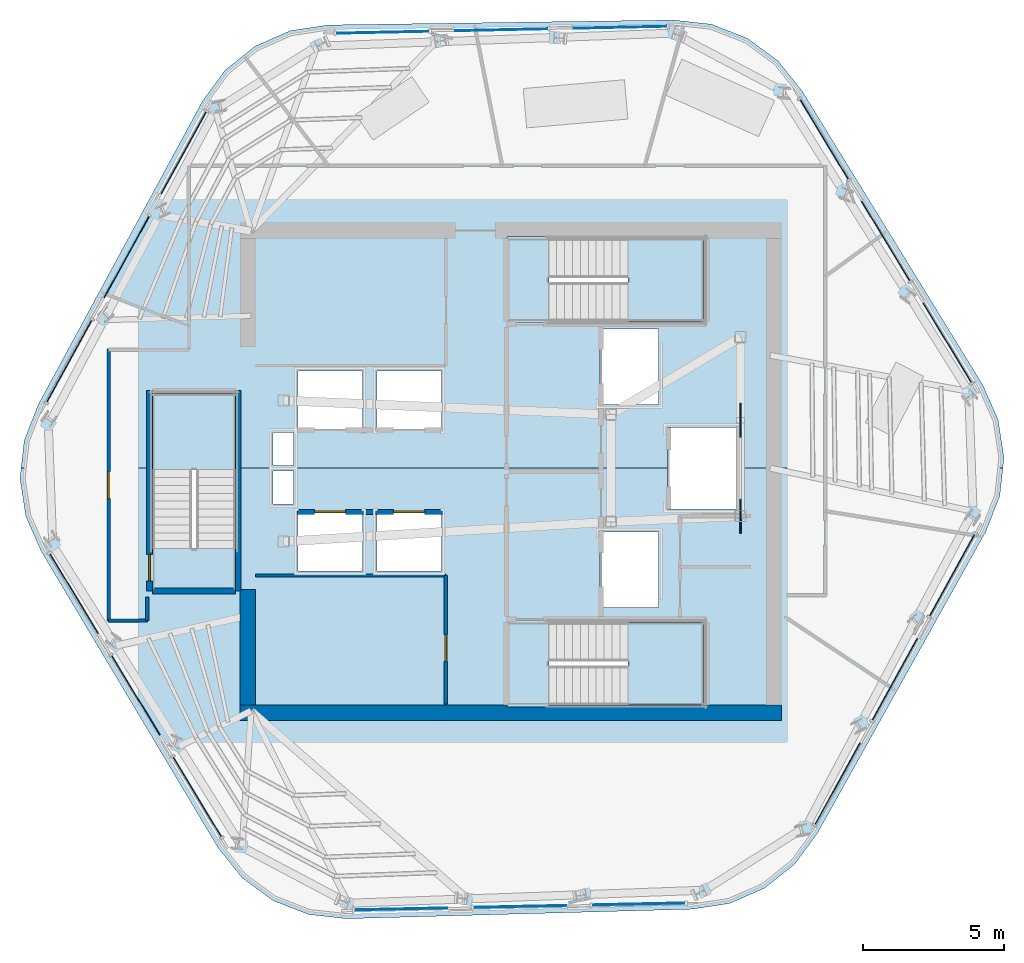
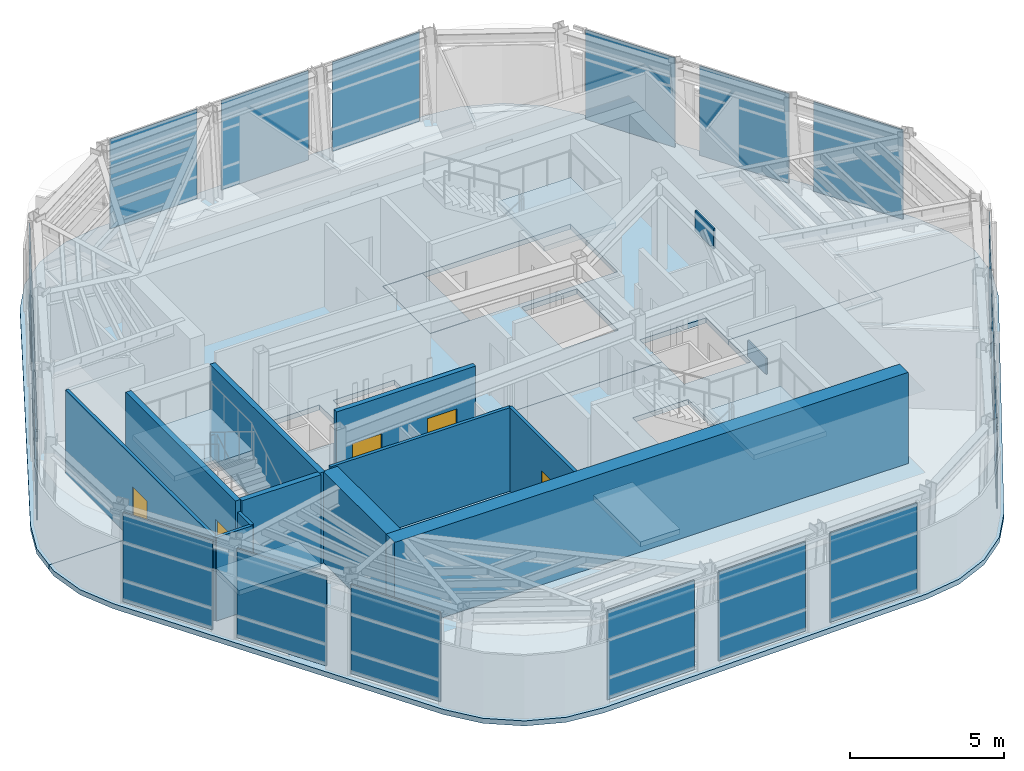
# One storey, part 6 of 13: 20 plates, 11 walls, 8 slabs, 5 doors, 5 openings, 9 elements without a shape of their own.
"""IFC4 building model written with IfcOpenShell, lengths in metres."""

import ifcopenshell
import ifcopenshell.guid

model = None  # the IFC model being written
_history = None  # IfcOwnerHistory: only IFC2X3 demands one
_inside = {}  # id of a spatial element -> (the spatial element, [elements in it])
_under = {}  # id of a project, library or spatial element -> (it, [spatial elements below it])
_declared = {}  # id of a project -> (the project, [libraries it declares])
_typed = {}  # id of a type object -> (the type object, [elements of that type])
_made_of = {}  # id of a material, layer set ... -> (it, [elements and type objects made of it])


def new_model(schema):
    """Start an empty IFC model of exactly this schema.

    Asked for "IFC4X3", IfcOpenShell would pick the latest addendum, in which some entities
    have other attributes; the version numbers below select the first issue.
    IFC2X3 requires an IfcOwnerHistory on every rooted entity: one is made here for all.
    """
    global model, _history
    if schema == "IFC4X3":
        model = ifcopenshell.file(schema_version=(4, 3, 0, 0))
    else:
        model = ifcopenshell.file(schema=schema)
    _inside.clear()
    _under.clear()
    _declared.clear()
    _typed.clear()
    _made_of.clear()
    _history = None
    if model.schema == "IFC2X3":
        org = make("IfcOrganization", Name="unknown")
        user = make(
            "IfcPersonAndOrganization",
            ThePerson=make("IfcPerson", FamilyName="unknown"),
            TheOrganization=org,
        )
        app = make(
            "IfcApplication",
            ApplicationDeveloper=org,
            Version="unknown",
            ApplicationFullName="unknown",
            ApplicationIdentifier="unknown",
        )
        _history = make(
            "IfcOwnerHistory",
            OwningUser=user,
            OwningApplication=app,
            ChangeAction="ADDED",
            CreationDate=0,
        )
    return model


def make(cls, **values):
    """One entity of the class cls with the attributes given. An attribute that is None is left unset."""
    return model.create_entity(
        cls, **{name: value for name, value in values.items() if value is not None}
    )


def rooted(cls, **values):
    """An entity with a GlobalId (a new one), such as an element, a storey or a relation."""
    return make(cls, GlobalId=ifcopenshell.guid.new(), OwnerHistory=_history, **values)


def si_unit(unit_type, name, prefix=None):
    """IfcSIUnit, for example si_unit("LENGTHUNIT", "METRE", prefix="MILLI")."""
    return make("IfcSIUnit", UnitType=unit_type, Prefix=prefix, Name=name)


def assignment(units):
    """IfcUnitAssignment: the units of a project."""
    return None if units is None else make("IfcUnitAssignment", Units=units)


def point(xyz):
    """IfcCartesianPoint."""
    return None if xyz is None else make("IfcCartesianPoint", Coordinates=xyz)


def direction(xyz):
    """IfcDirection."""
    return None if xyz is None else make("IfcDirection", DirectionRatios=xyz)


def frame(location, z_axis=None, x_axis=None):
    """IfcAxis2Placement3D, a coordinate frame: its origin and axes. An axis left out is left unset."""
    return make(
        "IfcAxis2Placement3D",
        Location=point(location),
        Axis=direction(z_axis),
        RefDirection=direction(x_axis),
    )


def frame_2d(location, x_axis=None):
    """IfcAxis2Placement2D, a coordinate frame in the plane: its origin and x axis."""
    return make(
        "IfcAxis2Placement2D", Location=point(location), RefDirection=direction(x_axis)
    )


def origin():
    """The frame at (0, 0, 0) with its axes left unset."""
    return frame((0.0, 0.0, 0.0))


def origin_2d():
    """The frame at (0, 0) in the plane with its x axis left unset."""
    return frame_2d((0.0, 0.0))


def place(relative_to, where):
    """IfcLocalPlacement: puts the frame where relative to a parent placement (None: the world)."""
    return make(
        "IfcLocalPlacement", PlacementRelTo=relative_to, RelativePlacement=where
    )


def context(
    kind, dimensions, precision=None, world=None, true_north=None, identifier=None
):
    """IfcGeometricRepresentationContext, for example the 3D "Model" context."""
    return make(
        "IfcGeometricRepresentationContext",
        ContextIdentifier=identifier,
        ContextType=kind,
        CoordinateSpaceDimension=dimensions,
        Precision=precision,
        WorldCoordinateSystem=world,
        TrueNorth=true_north,
    )


def subcontext(parent, identifier, kind, view, scale=None):
    """IfcGeometricRepresentationSubContext, for example "Body" below "Model"."""
    return make(
        "IfcGeometricRepresentationSubContext",
        ContextIdentifier=identifier,
        ContextType=kind,
        ParentContext=parent,
        TargetScale=scale,
        TargetView=view,
    )


def project(units=None, contexts=None):
    """IfcProject with its units and contexts."""
    return rooted(
        "IfcProject",
        Name="project",
        RepresentationContexts=contexts,
        UnitsInContext=assignment(units),
    )


def spatial(cls, under=None, at=None, **own):
    """A site, building, storey or space (cls), placed at a placement, below another one or the project."""
    s = rooted(cls, ObjectPlacement=at, **own)
    if under is not None:
        _under.setdefault(under.id(), (under, []))[1].append(s)
    return s


def polyline(points):
    """IfcPolyline through the points."""
    return make("IfcPolyline", Points=[point(p) for p in points])


def profile(cls, at=None, kind="AREA", **sizes):
    """A parametric profile (cls). Its sizes go by their IFC names, for example OverallWidth=200.0."""
    return make(cls, ProfileType=kind, Position=at, **sizes)


def rectangle(**sizes):
    """IfcRectangleProfileDef."""
    return profile("IfcRectangleProfileDef", **sizes)


def outline(outer, holes=None, kind="AREA"):
    """IfcArbitraryClosedProfileDef: a profile drawn as a closed curve; with holes, ...WithVoids."""
    if holes is None:
        return make("IfcArbitraryClosedProfileDef", ProfileType=kind, OuterCurve=outer)
    return make(
        "IfcArbitraryProfileDefWithVoids",
        ProfileType=kind,
        OuterCurve=outer,
        InnerCurves=holes,
    )


def extrude(swept, where, along, depth):
    """IfcExtrudedAreaSolid: the profile swept, set in the frame where, extruded along a direction by depth."""
    return make(
        "IfcExtrudedAreaSolid",
        SweptArea=swept,
        Position=where,
        ExtrudedDirection=direction(along),
        Depth=depth,
    )


def shape(context_of_items, identifier, shape_type, items):
    """IfcShapeRepresentation: the items that make up one representation, for example the "Body"."""
    return make(
        "IfcShapeRepresentation",
        ContextOfItems=context_of_items,
        RepresentationIdentifier=identifier,
        RepresentationType=shape_type,
        Items=items,
    )


def material(Name=None, Category=None):
    """IfcMaterial."""
    return make("IfcMaterial", Name=Name, Category=Category)


def layer(
    of_material, thickness, ventilated=None, Name=None, Category=None, Priority=None
):
    """IfcMaterialLayer: one layer of a wall or slab, of a material (None: an air gap)."""
    return make(
        "IfcMaterialLayer",
        Material=of_material,
        LayerThickness=thickness,
        IsVentilated=ventilated,
        Name=Name,
        Category=Category,
        Priority=Priority,
    )


def layer_set(layers, Name=None):
    """IfcMaterialLayerSet."""
    return make("IfcMaterialLayerSet", MaterialLayers=layers, LayerSetName=Name)


def made_of(thing, what):
    """Note that an element or type object is made of a material, layer set ...; save() writes the relation."""
    if what is not None:
        _made_of.setdefault(what.id(), (what, []))[1].append(thing)
    return thing


def type_object(cls, material=None, **own):
    """A type object (cls), such as IfcWallType, which elements share."""
    return made_of(rooted(cls, **own), material)


def element(
    cls,
    number,
    at=None,
    inside=None,
    cuts=None,
    type_object=None,
    material=None,
    context=None,
    identifier="Body",
    shape_type=None,
    held_by="IfcProductDefinitionShape",
    body=None,
    shapes=None,
    **own,
):
    """One element of the class cls, such as IfcWall. Its Tag is "e" and its number.

    at: its placement. inside: the storey or other place that contains it. cuts: it is an
    opening in that element (IfcRelVoidsElement). A single representation is given by context,
    identifier, shape_type and body (its items); several are given by shapes. held_by: the class
    of the entity that holds the representations. save() writes the other relations.
    """
    e = rooted(cls, Tag="e%d" % number, ObjectPlacement=at, **own)
    if body is not None:
        shapes = [shape(context, identifier, shape_type, body)]
    if shapes is not None:
        e.Representation = make(held_by, Representations=shapes)
    if inside is not None:
        _inside.setdefault(inside.id(), (inside, []))[1].append(e)
    if cuts is not None:
        rooted(
            "IfcRelVoidsElement", RelatingBuildingElement=cuts, RelatedOpeningElement=e
        )
    if type_object is not None:
        _typed.setdefault(type_object.id(), (type_object, []))[1].append(e)
    return made_of(e, material)


def fill(opening, filler):
    """IfcRelFillsElement: the door or window that sits in an opening."""
    return rooted(
        "IfcRelFillsElement",
        RelatingOpeningElement=opening,
        RelatedBuildingElement=filler,
    )


def aggregate(whole, parts):
    """IfcRelAggregates: a whole, such as a stair, and the parts it consists of."""
    return rooted("IfcRelAggregates", RelatingObject=whole, RelatedObjects=parts)


def save(model, path):
    """Write the relations noted so far, then the file.

    IfcRelAggregates (storeys below a building ...), IfcRelContainedInSpatialStructure (elements
    in a storey), IfcRelDefinesByType, IfcRelAssociatesMaterial and IfcRelDeclares: one each for
    every whole, place, type object, material and project.
    """
    for whole, parts in _under.values():
        aggregate(whole, parts)
    for where, things in _inside.values():
        rooted(
            "IfcRelContainedInSpatialStructure",
            RelatedElements=things,
            RelatingStructure=where,
        )
    for kind, things in _typed.values():
        rooted("IfcRelDefinesByType", RelatedObjects=things, RelatingType=kind)
    for what, things in _made_of.values():
        rooted("IfcRelAssociatesMaterial", RelatedObjects=things, RelatingMaterial=what)
    for by, libraries in _declared.values():
        rooted("IfcRelDeclares", RelatingContext=by, RelatedDefinitions=libraries)
    model.write(path)


model = new_model("IFC4")

# Units and contexts
model_context = context("Model", 3, precision=1e-05, world=origin(), true_north=direction((0.0, 1.0)))
body_context = subcontext(model_context, "Body", "Model", "MODEL_VIEW")
ifc_project = project(units=[si_unit("LENGTHUNIT", "METRE"), si_unit("AREAUNIT", "SQUARE_METRE"), si_unit("VOLUMEUNIT", "CUBIC_METRE"), si_unit("PLANEANGLEUNIT", "RADIAN"), si_unit("MASSUNIT", "GRAM", prefix="KILO")], contexts=[model_context])

# Site, building, storey
site_placement = place(None, origin())
site = spatial("IfcSite", under=ifc_project, at=site_placement, CompositionType="ELEMENT")
building_placement = place(site_placement, origin())
building = spatial("IfcBuilding", under=site, at=building_placement, Name="Valkerne Bourse Tower", CompositionType="ELEMENT")
storey_placement = place(building_placement, frame((0.0, 0.0, 288.800048828125)))
storey = spatial("IfcBuildingStorey", under=building, at=storey_placement, Name="L73", CompositionType="ELEMENT", Elevation=288.800048828125)

# Curtain wall, plates
ifc_material_1 = material(Name="Aluminium AA 6063-T6", Category="aluminium")
ifc_layer_1 = layer(ifc_material_1, 0.2451171875)
ifc_layer_set_1 = layer_set([ifc_layer_1], Name="Aluminium AA 6063-T6")
curtain_wall_type = type_object("IfcCurtainWallType", Name="CW-05", PredefinedType="NOTDEFINED", material=ifc_layer_set_1)
curtain_wall_1_placement = place(storey_placement, origin())
curtain_wall_1 = element("IfcCurtainWall", 1, at=curtain_wall_1_placement, inside=storey, type_object=curtain_wall_type, Name="L73 Hexagonal Stick Curtain Wall Face 1", PredefinedType="NOTDEFINED")
ifc_material_2 = material(Name="Glass IGU Low-E Double Glazed", Category="glass")
ifc_layer_2 = layer(ifc_material_2, 0.031982421875)
ifc_layer_set_2 = layer_set([ifc_layer_2], Name="Glass IGU Low-E Double Glazed")
plate_type_1 = type_object("IfcPlateType", Name="CW-PNL-IGU-32", PredefinedType="CURTAIN_PANEL", material=ifc_layer_set_2)
plate_1_placement = place(storey_placement, frame((50.685546875, 42.62353515625, 0.030029296875), z_axis=(0.0, 0.0, 1.0), x_axis=(-0.999780733034, -0.020940053823, 0.0)))
plate_1 = element("IfcPlate", 2, at=plate_1_placement, type_object=plate_type_1, Name="CW-L73-F1 Curtain Panel 00", PredefinedType="CURTAIN_PANEL", context=body_context, shape_type="SweptSolid", body=[
    extrude(rectangle(XDim=3.2919921875, YDim=0.031982421875, at=origin_2d()), origin(), (0.0, 0.0, 1.0), 3.5400390625),
])
plate_2_placement = place(storey_placement, frame((46.474609375, 42.535400390625, 0.030029296875), z_axis=(0.0, 0.0, 1.0), x_axis=(-0.999780722623, -0.020940550871, 0.0)))
plate_2 = element("IfcPlate", 3, at=plate_2_placement, type_object=plate_type_1, Name="CW-L73-F1 Curtain Panel 01", PredefinedType="CURTAIN_PANEL", context=body_context, shape_type="SweptSolid", body=[
    extrude(rectangle(XDim=3.2919921875, YDim=0.031982421875, at=origin_2d()), origin(), (0.0, 0.0, 1.0), 3.5400390625),
])
plate_3_placement = place(storey_placement, frame((42.263427734375, 42.447021484375, 0.030029296875), z_axis=(0.0, 0.0, 1.0), x_axis=(-0.999780733034, -0.020940053823, 0.0)))
plate_3 = element("IfcPlate", 4, at=plate_3_placement, type_object=plate_type_1, Name="CW-L73-F1 Curtain Panel 02", PredefinedType="CURTAIN_PANEL", context=body_context, shape_type="SweptSolid", body=[
    extrude(rectangle(XDim=3.2919921875, YDim=0.031982421875, at=origin_2d()), origin(), (0.0, 0.0, 1.0), 3.5400390625),
])
aggregate(curtain_wall_1, [plate_1, plate_2, plate_3])

curtain_wall_2_placement = place(storey_placement, origin())
curtain_wall_2 = element("IfcCurtainWall", 5, at=curtain_wall_2_placement, inside=storey, type_object=curtain_wall_type, Name="L73 Hexagonal Stick Curtain Wall Face 2", PredefinedType="NOTDEFINED")
plate_4_placement = place(storey_placement, frame((35.21240234375, 38.177001953125, 0.030029296875), z_axis=(0.0, 0.0, 1.0), x_axis=(-0.481763806894, -0.876301109418, 0.0)))
plate_4 = element("IfcPlate", 6, at=plate_4_placement, type_object=plate_type_1, Name="CW-L73-F2 Curtain Panel 00", PredefinedType="CURTAIN_PANEL", context=body_context, shape_type="SweptSolid", body=[
    extrude(rectangle(XDim=3.2919921875, YDim=0.031982421875, at=origin_2d()), origin(), (0.0, 0.0, 1.0), 3.5400390625),
])
plate_5_placement = place(storey_placement, frame((33.183349609375, 34.48583984375, 0.030029296875), z_axis=(0.0, 0.0, 1.0), x_axis=(-0.481735552691, -0.87631664213, 0.0)))
plate_5 = element("IfcPlate", 7, at=plate_5_placement, type_object=plate_type_1, Name="CW-L73-F2 Curtain Panel 01", PredefinedType="CURTAIN_PANEL", context=body_context, shape_type="SweptSolid", body=[
    extrude(rectangle(XDim=3.2919921875, YDim=0.031982421875, at=origin_2d()), origin(), (0.0, 0.0, 1.0), 3.5400390625),
])
plate_6_placement = place(storey_placement, frame((31.154296875, 30.794921875, 0.030029296875), z_axis=(0.0, 0.0, 1.0), x_axis=(-0.481763806894, -0.876301109418, 0.0)))
plate_6 = element("IfcPlate", 8, at=plate_6_placement, type_object=plate_type_1, Name="CW-L73-F2 Curtain Panel 02", PredefinedType="CURTAIN_PANEL", context=body_context, shape_type="SweptSolid", body=[
    extrude(rectangle(XDim=3.2919921875, YDim=0.031982421875, at=origin_2d()), origin(), (0.0, 0.0, 1.0), 3.5400390625),
])
aggregate(curtain_wall_2, [plate_4, plate_5, plate_6])

curtain_wall_3_placement = place(storey_placement, origin())
curtain_wall_3 = element("IfcCurtainWall", 9, at=curtain_wall_3_placement, inside=storey, type_object=curtain_wall_type, Name="L73 Hexagonal Stick Curtain Wall Face 3", PredefinedType="NOTDEFINED")
plate_7_placement = place(storey_placement, frame((31.326904296875, 22.55322265625, 0.030029296875), z_axis=(0.0, 0.0, 1.0), x_axis=(0.518038606247, -0.855357236737, 0.0)))
plate_7 = element("IfcPlate", 10, at=plate_7_placement, type_object=plate_type_1, Name="CW-L73-F3 Curtain Panel 00", PredefinedType="CURTAIN_PANEL", context=body_context, shape_type="SweptSolid", body=[
    extrude(rectangle(XDim=3.2919921875, YDim=0.031982421875, at=origin_2d()), origin(), (0.0, 0.0, 1.0), 3.5400390625),
])
plate_8_placement = place(storey_placement, frame((33.5087890625, 18.950439453125, 0.030029296875), z_axis=(0.0, 0.0, 1.0), x_axis=(0.51802123581, -0.855367756728, 0.0)))
plate_8 = element("IfcPlate", 11, at=plate_8_placement, type_object=plate_type_1, Name="CW-L73-F3 Curtain Panel 01", PredefinedType="CURTAIN_PANEL", context=body_context, shape_type="SweptSolid", body=[
    extrude(rectangle(XDim=3.2919921875, YDim=0.031982421875, at=origin_2d()), origin(), (0.0, 0.0, 1.0), 3.5400390625),
])
plate_9_placement = place(storey_placement, frame((35.690673828125, 15.34765625, 0.030029296875), z_axis=(0.0, 0.0, 1.0), x_axis=(0.51802123581, -0.855367756728, 0.0)))
plate_9 = element("IfcPlate", 12, at=plate_9_placement, type_object=plate_type_1, Name="CW-L73-F3 Curtain Panel 02", PredefinedType="CURTAIN_PANEL", context=body_context, shape_type="SweptSolid", body=[
    extrude(rectangle(XDim=3.2919921875, YDim=0.031982421875, at=origin_2d()), origin(), (0.0, 0.0, 1.0), 3.5400390625),
])
aggregate(curtain_wall_3, [plate_7, plate_8, plate_9])

curtain_wall_4_placement = place(storey_placement, origin())
curtain_wall_4 = element("IfcCurtainWall", 13, at=curtain_wall_4_placement, inside=storey, type_object=curtain_wall_type, Name="L73 Hexagonal Stick Curtain Wall Face 4", PredefinedType="NOTDEFINED")
plate_10_placement = place(storey_placement, frame((42.914306640625, 11.37646484375, 0.030029296875), z_axis=(0.0, 0.0, 1.0), x_axis=(0.999780733034, 0.020940053823, 0.0)))
plate_10 = element("IfcPlate", 14, at=plate_10_placement, type_object=plate_type_1, Name="CW-L73-F4 Curtain Panel 00", PredefinedType="CURTAIN_PANEL", context=body_context, shape_type="SweptSolid", body=[
    extrude(rectangle(XDim=3.2919921875, YDim=0.031982421875, at=origin_2d()), origin(), (0.0, 0.0, 1.0), 3.5400390625),
])
plate_11_placement = place(storey_placement, frame((47.12548828125, 11.464599609375, 0.030029296875), z_axis=(0.0, 0.0, 1.0), x_axis=(0.999780722623, 0.020940550871, 0.0)))
plate_11 = element("IfcPlate", 15, at=plate_11_placement, type_object=plate_type_1, Name="CW-L73-F4 Curtain Panel 01", PredefinedType="CURTAIN_PANEL", context=body_context, shape_type="SweptSolid", body=[
    extrude(rectangle(XDim=3.2919921875, YDim=0.031982421875, at=origin_2d()), origin(), (0.0, 0.0, 1.0), 3.5400390625),
])
plate_12_placement = place(storey_placement, frame((51.33642578125, 11.552978515625, 0.030029296875), z_axis=(0.0, 0.0, 1.0), x_axis=(0.999780733034, 0.020940053823, 0.0)))
plate_12 = element("IfcPlate", 16, at=plate_12_placement, type_object=plate_type_1, Name="CW-L73-F4 Curtain Panel 02", PredefinedType="CURTAIN_PANEL", context=body_context, shape_type="SweptSolid", body=[
    extrude(rectangle(XDim=3.2919921875, YDim=0.031982421875, at=origin_2d()), origin(), (0.0, 0.0, 1.0), 3.5400390625),
])
aggregate(curtain_wall_4, [plate_10, plate_11, plate_12])

curtain_wall_5_placement = place(storey_placement, origin())
curtain_wall_5 = element("IfcCurtainWall", 17, at=curtain_wall_5_placement, inside=storey, type_object=curtain_wall_type, Name="L73 Hexagonal Stick Curtain Wall Face 5", PredefinedType="NOTDEFINED")
plate_13_placement = place(storey_placement, frame((58.3876953125, 15.822998046875, 0.030029296875), z_axis=(0.0, 0.0, 1.0), x_axis=(0.481763806894, 0.876301109418, 0.0)))
plate_13 = element("IfcPlate", 18, at=plate_13_placement, type_object=plate_type_1, Name="CW-L73-F5 Curtain Panel 00", PredefinedType="CURTAIN_PANEL", context=body_context, shape_type="SweptSolid", body=[
    extrude(rectangle(XDim=3.2919921875, YDim=0.031982421875, at=origin_2d()), origin(), (0.0, 0.0, 1.0), 3.5400390625),
])
plate_14_placement = place(storey_placement, frame((60.416748046875, 19.51416015625, 0.030029296875), z_axis=(0.0, 0.0, 1.0), x_axis=(0.481735552691, 0.87631664213, 0.0)))
plate_14 = element("IfcPlate", 19, at=plate_14_placement, type_object=plate_type_1, Name="CW-L73-F5 Curtain Panel 01", PredefinedType="CURTAIN_PANEL", context=body_context, shape_type="SweptSolid", body=[
    extrude(rectangle(XDim=3.2919921875, YDim=0.031982421875, at=origin_2d()), origin(), (0.0, 0.0, 1.0), 3.5400390625),
])
plate_15_placement = place(storey_placement, frame((62.44580078125, 23.205078125, 0.030029296875), z_axis=(0.0, 0.0, 1.0), x_axis=(0.481763806894, 0.876301109418, 0.0)))
plate_15 = element("IfcPlate", 20, at=plate_15_placement, type_object=plate_type_1, Name="CW-L73-F5 Curtain Panel 02", PredefinedType="CURTAIN_PANEL", context=body_context, shape_type="SweptSolid", body=[
    extrude(rectangle(XDim=3.2919921875, YDim=0.031982421875, at=origin_2d()), origin(), (0.0, 0.0, 1.0), 3.5400390625),
])
aggregate(curtain_wall_5, [plate_13, plate_14, plate_15])

curtain_wall_6_placement = place(storey_placement, origin())
curtain_wall_6 = element("IfcCurtainWall", 21, at=curtain_wall_6_placement, inside=storey, type_object=curtain_wall_type, Name="L73 Hexagonal Stick Curtain Wall Face 6", PredefinedType="NOTDEFINED")
plate_16_placement = place(storey_placement, frame((62.273193359375, 31.44677734375, 0.030029296875), z_axis=(0.0, 0.0, 1.0), x_axis=(-0.518038606247, 0.855357236737, 0.0)))
plate_16 = element("IfcPlate", 22, at=plate_16_placement, type_object=plate_type_1, Name="CW-L73-F6 Curtain Panel 00", PredefinedType="CURTAIN_PANEL", context=body_context, shape_type="SweptSolid", body=[
    extrude(rectangle(XDim=3.2919921875, YDim=0.031982421875, at=origin_2d()), origin(), (0.0, 0.0, 1.0), 3.5400390625),
])
plate_17_placement = place(storey_placement, frame((60.09130859375, 35.049560546875, 0.030029296875), z_axis=(0.0, 0.0, 1.0), x_axis=(-0.51802123581, 0.855367756728, 0.0)))
plate_17 = element("IfcPlate", 23, at=plate_17_placement, type_object=plate_type_1, Name="CW-L73-F6 Curtain Panel 01", PredefinedType="CURTAIN_PANEL", context=body_context, shape_type="SweptSolid", body=[
    extrude(rectangle(XDim=3.2919921875, YDim=0.031982421875, at=origin_2d()), origin(), (0.0, 0.0, 1.0), 3.5400390625),
])
plate_18_placement = place(storey_placement, frame((57.909423828125, 38.65234375, 0.030029296875), z_axis=(0.0, 0.0, 1.0), x_axis=(-0.51802123581, 0.855367756728, 0.0)))
plate_18 = element("IfcPlate", 24, at=plate_18_placement, type_object=plate_type_1, Name="CW-L73-F6 Curtain Panel 02", PredefinedType="CURTAIN_PANEL", context=body_context, shape_type="SweptSolid", body=[
    extrude(rectangle(XDim=3.2919921875, YDim=0.031982421875, at=origin_2d()), origin(), (0.0, 0.0, 1.0), 3.5400390625),
])
aggregate(curtain_wall_6, [plate_16, plate_17, plate_18])

# Plates
ifc_material_3 = material(Name="Steel ASTM A572 Grade 50", Category="steel")
ifc_layer_3 = layer(ifc_material_3, 0.06005859375)
ifc_layer_set_3 = layer_set([ifc_layer_3], Name="Steel ASTM A572 Grade 50")
plate_type_2 = type_object("IfcPlateType", Name="PLT-GUS-60", PredefinedType="SHEET", material=ifc_layer_set_3)
for number, where, z_axis, x_axis, name in (
    (25, (54.949951171875, 25.300048828125, -0.18017578125), (0.0, 0.0, 1.0), (0.0, 1.0, 0.0), "L73 Brace Node Gusset Plate PLT-GUS-END-L73-462"),
    (26, (54.949951171875, 28.699951171875, 2.89404296875), (0.0, 0.0, 1.0), (0.0, 1.0, 0.0), "L73 Brace Node Gusset Plate PLT-GUS-END-L73-463"),
):
    element("IfcPlate", number, at=place(storey_placement, frame(where, z_axis=z_axis, x_axis=x_axis)), inside=storey, type_object=plate_type_2, Name=name, PredefinedType="SHEET", context=body_context, shape_type="SweptSolid", body=[
        extrude(rectangle(XDim=1.199951171875, YDim=0.06005859375, at=origin_2d()), origin(), (0.0, 0.0, 1.0), 0.800048828125),
    ])

# Slabs
ifc_material_4 = material(Name="Concrete C40/50", Category="concrete")
ifc_layer_4 = layer(ifc_material_4, 0.25)
ifc_layer_set_4 = layer_set([ifc_layer_4], Name="Concrete C40/50")
slab_type_1 = type_object("IfcSlabType", Name="SLB-RMP-LND-250", PredefinedType="LANDING", material=ifc_layer_set_4)
slab_1_placement = place(storey_placement, frame((0.0, 0.0, -0.199951171875)))
element("IfcSlab", 27, at=slab_1_placement, inside=storey, type_object=slab_type_1, Name="L73 ST-1 Floor Landing Slab", PredefinedType="LANDING", context=body_context, shape_type="SweptSolid", body=[
    extrude(outline(polyline([(46.669921875, 18.5400390625), (48.14990234375, 18.5400390625), (48.14990234375, 21.610107421875), (46.669921875, 21.610107421875), (46.669921875, 18.5400390625)])), origin(), (0.0, 0.0, 1.0), 0.199951171875),
])
slab_2_placement = place(storey_placement, frame((0.0, 0.0, -0.199951171875)))
element("IfcSlab", 28, at=slab_2_placement, inside=storey, type_object=slab_type_1, Name="L73 ST-2 Floor Landing Slab", PredefinedType="LANDING", context=body_context, shape_type="SweptSolid", body=[
    extrude(outline(polyline([(46.669921875, 32.139892578125), (48.14990234375, 32.139892578125), (48.14990234375, 35.2099609375), (46.669921875, 35.2099609375), (46.669921875, 32.139892578125)])), origin(), (0.0, 0.0, 1.0), 0.199951171875),
])
slab_3_placement = place(storey_placement, frame((0.0, 0.0, -0.199951171875)))
element("IfcSlab", 29, at=slab_3_placement, inside=storey, type_object=slab_type_1, Name="L73 ST-3 Floor Landing Slab", PredefinedType="LANDING", context=body_context, shape_type="SweptSolid", body=[
    extrude(outline(polyline([(37.110107421875, 22.669921875), (37.110107421875, 24.14990234375), (34.0400390625, 24.14990234375), (34.0400390625, 22.669921875), (37.110107421875, 22.669921875)])), origin(), (0.0, 0.0, 1.0), 0.199951171875),
])

# Stair, slab
stair_type = type_object("IfcStairType", Name="ST-CORE-1400", PredefinedType="HALF_TURN_STAIR", material=ifc_material_4)
stair_1_placement = place(storey_placement, origin())
stair_1 = element("IfcStair", 30, at=stair_1_placement, inside=storey, type_object=stair_type, Name="L73 ST-1", PredefinedType="HALF_TURN_STAIR")
ifc_layer_5 = layer(ifc_material_4, 0.179931640625)
ifc_layer_set_5 = layer_set([ifc_layer_5], Name="Concrete C40/50")
slab_type_2 = type_object("IfcSlabType", Name="SLB-ST-LND-180", PredefinedType="LANDING", material=ifc_layer_set_5)
slab_4_placement = place(storey_placement, frame((0.0, 0.0, 1.699951171875)))
slab_4 = element("IfcSlab", 31, at=slab_4_placement, type_object=slab_type_2, Name="ST-1 landing 1", PredefinedType="LANDING", context=body_context, shape_type="SweptSolid", body=[
    extrude(outline(polyline([(50.949951171875, 18.60009765625), (53.64990234375, 18.60009765625), (53.64990234375, 21.550048828125), (50.949951171875, 21.550048828125), (50.949951171875, 18.60009765625)])), origin(), (0.0, 0.0, 1.0), 0.199951171875),
])
aggregate(stair_1, [slab_4])

stair_2_placement = place(storey_placement, origin())
stair_2 = element("IfcStair", 32, at=stair_2_placement, inside=storey, type_object=stair_type, Name="L73 ST-2", PredefinedType="HALF_TURN_STAIR")
slab_5_placement = place(storey_placement, frame((0.0, 0.0, 1.699951171875)))
slab_5 = element("IfcSlab", 33, at=slab_5_placement, type_object=slab_type_2, Name="ST-2 landing 1", PredefinedType="LANDING", context=body_context, shape_type="SweptSolid", body=[
    extrude(outline(polyline([(50.949951171875, 32.199951171875), (53.64990234375, 32.199951171875), (53.64990234375, 35.14990234375), (50.949951171875, 35.14990234375), (50.949951171875, 32.199951171875)])), origin(), (0.0, 0.0, 1.0), 0.199951171875),
])
aggregate(stair_2, [slab_5])

stair_3_placement = place(storey_placement, origin())
stair_3 = element("IfcStair", 34, at=stair_3_placement, inside=storey, type_object=stair_type, Name="L73 ST-3", PredefinedType="HALF_TURN_STAIR")
slab_6_placement = place(storey_placement, frame((0.0, 0.0, 1.699951171875)))
slab_6 = element("IfcSlab", 35, at=slab_6_placement, type_object=slab_type_2, Name="ST-3 landing 1", PredefinedType="LANDING", context=body_context, shape_type="SweptSolid", body=[
    extrude(outline(polyline([(37.050048828125, 26.949951171875), (37.050048828125, 29.64990234375), (34.10009765625, 29.64990234375), (34.10009765625, 26.949951171875), (37.050048828125, 26.949951171875)])), origin(), (0.0, 0.0, 1.0), 0.199951171875),
])
aggregate(stair_3, [slab_6])

# Slabs
ifc_layer_6 = layer(ifc_material_4, 0.199951171875)
ifc_layer_set_6 = layer_set([ifc_layer_6], Name="Concrete C40/50")
slab_type_3 = type_object("IfcSlabType", Name="SLB-TOW-200", PredefinedType="FLOOR", material=ifc_layer_set_6)
slab_7_placement = place(storey_placement, frame((0.0, 0.0, -0.199951171875)))
element("IfcSlab", 36, at=slab_7_placement, inside=storey, type_object=slab_type_3, Name="L73 Hexagonal Composite Floor Slab S", PredefinedType="FLOOR", context=body_context, shape_type="SweptSolid", body=[
    extrude(outline(polyline([(64.135986328125, 26.01708984375), (63.64306640625, 24.752197265625), (57.67431640625, 14.063232421875), (56.870849609375, 12.96923828125), (55.811279296875, 12.12060546875), (54.568359375, 11.57470703125), (53.2265625, 11.369384765625), (40.98876953125, 11.0322265625), (39.639404296875, 11.181396484375), (38.374755859375, 11.67431640625), (37.28076171875, 12.47802734375), (36.431884765625, 13.53759765625), (30.1591796875, 24.05078125), (29.613525390625, 25.293701171875), (29.408203125, 26.6357421875), (29.448486328125, 27.0), (34.034912109375, 27.0), (34.034912109375, 22.6650390625), (37.114990234375, 22.6650390625), (37.114990234375, 27.0), (52.360107421875, 27.0), (52.360107421875, 25.56005859375), (54.840087890625, 25.56005859375), (54.840087890625, 27.0), (64.24462890625, 27.0), (64.135986328125, 26.01708984375)]), holes=[polyline([(39.260009765625, 25.43994140625), (39.260009765625, 23.360107421875), (41.5400390625, 23.360107421875), (41.5400390625, 25.43994140625), (39.260009765625, 25.43994140625)]), polyline([(44.340087890625, 25.43994140625), (42.06005859375, 25.43994140625), (42.06005859375, 23.360107421875), (44.340087890625, 23.360107421875), (44.340087890625, 25.43994140625)]), polyline([(38.3798828125, 26.89990234375), (38.3798828125, 25.72998046875), (39.10009765625, 25.72998046875), (39.10009765625, 26.89990234375), (38.3798828125, 26.89990234375)]), polyline([(46.6650390625, 21.614990234375), (46.6650390625, 18.534912109375), (53.675048828125, 18.534912109375), (53.675048828125, 21.614990234375), (46.6650390625, 21.614990234375)]), polyline([(52.0400390625, 24.739990234375), (49.9599609375, 24.739990234375), (49.9599609375, 22.06005859375), (52.0400390625, 22.06005859375), (52.0400390625, 24.739990234375)])]), origin(), (0.0, 0.0, 1.0), 0.199951171875),
])
slab_8_placement = place(storey_placement, frame((0.0, 0.0, -0.199951171875)))
element("IfcSlab", 37, at=slab_8_placement, inside=storey, type_object=slab_type_3, Name="L73 Hexagonal Composite Floor Slab N", PredefinedType="FLOOR", context=body_context, shape_type="SweptSolid", body=[
    extrude(outline(polyline([(64.07958984375, 28.7080078125), (64.284912109375, 27.3662109375), (64.24462890625, 27.0), (54.840087890625, 27.0), (54.840087890625, 28.43994140625), (52.360107421875, 28.43994140625), (52.360107421875, 27.0), (37.114990234375, 27.0), (37.114990234375, 29.675048828125), (34.034912109375, 29.675048828125), (34.034912109375, 27.0), (29.448486328125, 27.0), (29.55712890625, 27.985107421875), (30.05029296875, 29.249755859375), (35.877197265625, 40.0166015625), (36.680908203125, 41.110595703125), (37.740234375, 41.959228515625), (38.9833984375, 42.5048828125), (40.3251953125, 42.710205078125), (52.56640625, 42.885986328125), (53.91552734375, 42.73681640625), (55.180419921875, 42.243896484375), (56.2744140625, 41.440185546875), (57.123046875, 40.380859375), (63.5341796875, 29.951171875), (64.07958984375, 28.7080078125)]), holes=[polyline([(39.10009765625, 28.27001953125), (38.3798828125, 28.27001953125), (38.3798828125, 27.10009765625), (39.10009765625, 27.10009765625), (39.10009765625, 28.27001953125)]), polyline([(41.5400390625, 30.43994140625), (39.260009765625, 30.43994140625), (39.260009765625, 28.360107421875), (41.5400390625, 28.360107421875), (41.5400390625, 30.43994140625)]), polyline([(42.06005859375, 30.43994140625), (42.06005859375, 28.360107421875), (44.340087890625, 28.360107421875), (44.340087890625, 30.43994140625), (42.06005859375, 30.43994140625)]), polyline([(52.0400390625, 31.93994140625), (49.9599609375, 31.93994140625), (49.9599609375, 29.260009765625), (52.0400390625, 29.260009765625), (52.0400390625, 31.93994140625)]), polyline([(53.675048828125, 35.215087890625), (46.6650390625, 35.215087890625), (46.6650390625, 32.135009765625), (53.675048828125, 32.135009765625), (53.675048828125, 35.215087890625)])]), origin(), (0.0, 0.0, 1.0), 0.199951171875),
])

# Walls
ifc_material_5 = material(Name="Concrete C55/67", Category="concrete")
ifc_layer_7 = layer(ifc_material_5, 0.550048828125)
ifc_layer_set_7 = layer_set([ifc_layer_7], Name="Concrete C55/67")
wall_type_1 = type_object("IfcWallType", Name="W-CORE-550", PredefinedType="SHEAR", material=ifc_layer_set_7)
wall_1_placement = place(storey_placement, frame((37.199951171875, 18.324951171875, 0.0), z_axis=(0.0, 0.0, 1.0), x_axis=(1.0, 0.0, 0.0)))
element("IfcWall", 38, at=wall_1_placement, inside=storey, type_object=wall_type_1, Name="L73 Core Shear Wall SOUTH", PredefinedType="SHEAR", context=body_context, shape_type="SweptSolid", body=[
    extrude(rectangle(XDim=19.199951171875, YDim=0.550048828125, at=frame_2d((9.60009765625, 0.0))), origin(), (0.0, 0.0, 1.0), 3.599853515625),
])
wall_2_placement = place(storey_placement, frame((37.47509765625, 18.60009765625, 0.0), z_axis=(0.0, 0.0, 1.0), x_axis=(0.0, 1.0, 0.0)))
element("IfcWall", 39, at=wall_2_placement, inside=storey, type_object=wall_type_1, Name="L73 Core Shear Wall WEST-S", PredefinedType="SHEAR", context=body_context, shape_type="SweptSolid", body=[
    extrude(rectangle(XDim=4.099853515625, YDim=0.550048828125, at=frame_2d((2.0498046875, 0.0))), origin(), (0.0, 0.0, 1.0), 3.599853515625),
])

# Wall, opening, door
ifc_material_6 = material(Name="Gypsum Board Steel-Stud Partition", Category="steel")
ifc_layer_8 = layer(ifc_material_6, 0.117919921875)
ifc_layer_set_8 = layer_set([ifc_layer_8], Name="Gypsum Board Steel-Stud Partition")
wall_type_2 = type_object("IfcWallType", Name="W-CORR-140", PredefinedType="PARTITIONING", material=ifc_layer_set_8)
wall_3_placement = place(storey_placement, frame((44.5, 18.64990234375, 0.0), z_axis=(0.0, 0.0, 1.0), x_axis=(0.0, 1.0, 0.0)))
wall_3 = element("IfcWall", 40, at=wall_3_placement, inside=storey, type_object=wall_type_2, Name="L73 LV7 Low-Bank East Wall", PredefinedType="PARTITIONING", context=body_context, shape_type="SweptSolid", body=[
    extrude(rectangle(XDim=4.550048828125, YDim=0.117919921875, at=frame_2d((2.27490234375, 0.0))), origin(), (0.0, 0.0, 1.0), 3.300048828125),
])
opening_1_placement = place(wall_3_placement, frame((1.5, 0.0, 0.0)))
opening_1 = element("IfcOpeningElement", 41, at=opening_1_placement, cuts=wall_3, Name="Opening D-SV-950", PredefinedType="OPENING", context=body_context, shape_type="SweptSolid", body=[
    extrude(rectangle(XDim=0.949951171875, YDim=2.050048828125, at=frame_2d((0.47509765625, 1.02490234375))), frame((0.0, 0.06884765625, 0.0), z_axis=(0.0, -1.0, 0.0), x_axis=(1.0, 0.0, 0.0)), (0.0, 0.0, 1.0), 0.137939453125),
])
ifc_material_7 = material(Name="Galvanised Painted Steel", Category="steel")
door_type_1 = type_object("IfcDoorType", Name="DR-SRV-950", OperationType="NOTDEFINED", PredefinedType="DOOR", material=ifc_material_7)
door_1_placement = place(opening_1_placement, origin())
door_1 = element("IfcDoor", 42, at=door_1_placement, inside=storey, type_object=door_type_1, Name="L73 Algorithmic Matching Office Door", OperationType="SINGLE_SWING_RIGHT", OverallHeight=2.050048828125, OverallWidth=0.949951171875, PredefinedType="DOOR", context=body_context, shape_type="SweptSolid", body=[
    extrude(rectangle(XDim=0.949951171875, YDim=2.050048828125, at=frame_2d((0.47509765625, 1.02490234375))), frame((0.0, 0.02490234375, 0.0), z_axis=(0.0, -1.0, 0.0), x_axis=(1.0, 0.0, 0.0)), (0.0, 0.0, 1.0), 0.050048828125),
])
fill(opening_1, door_1)

# Walls
wall_4_placement = place(storey_placement, frame((37.75, 23.199951171875, 0.0), z_axis=(0.0, 0.0, 1.0), x_axis=(1.0, 0.0, 0.0)))
element("IfcWall", 43, at=wall_4_placement, inside=storey, type_object=wall_type_2, Name="L73 LV7 Low-Bank North Wall", PredefinedType="PARTITIONING", context=body_context, shape_type="SweptSolid", body=[
    extrude(rectangle(XDim=6.75, YDim=0.117919921875, at=frame_2d((3.375, 0.0))), origin(), (0.0, 0.0, 1.0), 3.300048828125),
])
wall_5_placement = place(storey_placement, frame((33.91796875, 22.43994140625, 0.0), z_axis=(0.0, 0.0, 1.0), x_axis=(0.002325575107, -0.999997295847, 0.0)))
element("IfcWall", 44, at=wall_5_placement, inside=storey, type_object=wall_type_2, Name="L73 Corridor Enclosure Wall", PredefinedType="PARTITIONING", context=body_context, shape_type="SweptSolid", body=[
    extrude(rectangle(XDim=0.83984375, YDim=0.117919921875, at=frame_2d((0.419921875, 0.0))), origin(), (0.0, 0.0, 1.0), 3.300048828125),
])
wall_6_placement = place(storey_placement, frame((33.919921875, 21.60009765625, 0.0), z_axis=(0.0, 0.0, 1.0), x_axis=(-1.0, 0.0, 0.0)))
element("IfcWall", 45, at=wall_6_placement, inside=storey, type_object=wall_type_2, Name="L73 Corridor Enclosure Wall", PredefinedType="PARTITIONING", context=body_context, shape_type="SweptSolid", body=[
    extrude(rectangle(XDim=1.369873046875, YDim=0.117919921875, at=frame_2d((0.68505859375, 0.0))), origin(), (0.0, 0.0, 1.0), 3.300048828125),
])

# Wall, opening, door
wall_7_placement = place(storey_placement, frame((32.550048828125, 21.60009765625, 0.0), z_axis=(0.0, 0.0, 1.0), x_axis=(0.0, 1.0, 0.0)))
wall_7 = element("IfcWall", 46, at=wall_7_placement, inside=storey, type_object=wall_type_2, Name="L73 Corridor Enclosure Wall", PredefinedType="PARTITIONING", context=body_context, shape_type="SweptSolid", body=[
    extrude(rectangle(XDim=9.599853515625, YDim=0.117919921875, at=frame_2d((4.7998046875, 0.0))), origin(), (0.0, 0.0, 1.0), 3.300048828125),
])
opening_2_placement = place(wall_7_placement, frame((4.324951171875, 0.0, 0.0)))
opening_2 = element("IfcOpeningElement", 47, at=opening_2_placement, cuts=wall_7, Name="Opening D-OF-950", PredefinedType="OPENING", context=body_context, shape_type="SweptSolid", body=[
    extrude(rectangle(XDim=0.949951171875, YDim=2.10009765625, at=frame_2d((0.47509765625, 1.050048828125))), frame((0.0, 0.06884765625, 0.0), z_axis=(0.0, -1.0, 0.0), x_axis=(1.0, 0.0, 0.0)), (0.0, 0.0, 1.0), 0.137939453125),
])
ifc_material_8 = material(Name="Architectural White Oak Timber", Category="wood")
door_type_2 = type_object("IfcDoorType", Name="DR-OFF-950", OperationType="NOTDEFINED", PredefinedType="DOOR", material=ifc_material_8)
door_2_placement = place(opening_2_placement, origin())
door_2 = element("IfcDoor", 48, at=door_2_placement, inside=storey, type_object=door_type_2, Name="L73 L73 Hospitality Catering Kitchen 7 Door", OperationType="SINGLE_SWING_LEFT", OverallHeight=2.10009765625, OverallWidth=0.949951171875, PredefinedType="DOOR", context=body_context, shape_type="SweptSolid", body=[
    extrude(rectangle(XDim=0.949951171875, YDim=2.10009765625, at=frame_2d((0.47509765625, 1.050048828125))), frame((0.0, 0.02490234375, 0.0), z_axis=(0.0, -1.0, 0.0), x_axis=(1.0, 0.0, 0.0)), (0.0, 0.0, 1.0), 0.050048828125),
])
fill(opening_2, door_2)

# Wall, openings, doors
ifc_material_9 = material(Name="CMU Blockwork Masonry 200mm", Category="masonry")
ifc_layer_9 = layer(ifc_material_9, 0.179931640625)
ifc_layer_set_9 = layer_set([ifc_layer_9], Name="CMU Blockwork Masonry 200mm")
wall_type_3 = type_object("IfcWallType", Name="W-LFT-180", PredefinedType="SOLIDWALL", material=ifc_layer_set_9)
wall_8_placement = place(storey_placement, frame((39.25, 25.449951171875, 0.0), z_axis=(0.0, 0.0, 1.0), x_axis=(1.0, 0.0, 0.0)))
wall_8 = element("IfcWall", 49, at=wall_8_placement, inside=storey, type_object=wall_type_3, Name="L73 High-Zone South Cars Front Wall", PredefinedType="SOLIDWALL", context=body_context, shape_type="SweptSolid", body=[
    extrude(rectangle(XDim=5.199951171875, YDim=0.179931640625, at=frame_2d((2.60009765625, 0.0))), origin(), (0.0, 0.0, 1.0), 3.599853515625),
])
opening_3_placement = place(wall_8_placement, frame((0.60009765625, 0.0, 0.0)))
opening_3 = element("IfcOpeningElement", 50, at=opening_3_placement, cuts=wall_8, Name="Opening LD-1100", PredefinedType="OPENING", context=body_context, shape_type="SweptSolid", body=[
    extrude(rectangle(XDim=1.10009765625, YDim=2.14990234375, at=frame_2d((0.550048828125, 1.074951171875))), frame((0.0, 0.099853515625, 0.0), z_axis=(0.0, -1.0, 0.0), x_axis=(1.0, 0.0, 0.0)), (0.0, 0.0, 1.0), 0.199951171875),
])
opening_4_placement = place(wall_8_placement, frame((3.39990234375, 0.0, 0.0)))
opening_4 = element("IfcOpeningElement", 51, at=opening_4_placement, cuts=wall_8, Name="Opening LD-1100", PredefinedType="OPENING", context=body_context, shape_type="SweptSolid", body=[
    extrude(rectangle(XDim=1.10009765625, YDim=2.14990234375, at=frame_2d((0.550048828125, 1.074951171875))), frame((0.0, 0.099853515625, 0.0), z_axis=(0.0, -1.0, 0.0), x_axis=(1.0, 0.0, 0.0)), (0.0, 0.0, 1.0), 0.199951171875),
])
ifc_material_10 = material(Name="Stainless Steel AISI 316", Category="steel")
door_type_3 = type_object("IfcDoorType", Name="DR-LIFT-1100", OperationType="DOUBLE_DOOR_SLIDING", PredefinedType="DOOR", material=ifc_material_10)
door_3_placement = place(opening_3_placement, origin())
door_3 = element("IfcDoor", 52, at=door_3_placement, inside=storey, type_object=door_type_3, Name="L73 Passenger Lift PL-H1 Sliding Landing Door", OperationType="DOUBLE_DOOR_SLIDING", OverallHeight=2.14990234375, OverallWidth=1.10009765625, PredefinedType="DOOR", context=body_context, shape_type="SweptSolid", body=[
    extrude(rectangle(XDim=1.10009765625, YDim=2.14990234375, at=frame_2d((0.550048828125, 1.074951171875))), frame((0.0, 0.02490234375, 0.0), z_axis=(0.0, -1.0, 0.0), x_axis=(1.0, 0.0, 0.0)), (0.0, 0.0, 1.0), 0.050048828125),
])
fill(opening_3, door_3)
door_4_placement = place(opening_4_placement, origin())
door_4 = element("IfcDoor", 53, at=door_4_placement, inside=storey, type_object=door_type_3, Name="L73 Passenger Lift PL-H2 Sliding Landing Door", OperationType="DOUBLE_DOOR_SLIDING", OverallHeight=2.14990234375, OverallWidth=1.10009765625, PredefinedType="DOOR", context=body_context, shape_type="SweptSolid", body=[
    extrude(rectangle(XDim=1.10009765625, YDim=2.14990234375, at=frame_2d((0.550048828125, 1.074951171875))), frame((0.0, 0.02490234375, 0.0), z_axis=(0.0, -1.0, 0.0), x_axis=(1.0, 0.0, 0.0)), (0.0, 0.0, 1.0), 0.050048828125),
])
fill(opening_4, door_4)

# Wall, opening, door
ifc_layer_10 = layer(ifc_material_4, 0.199951171875)
ifc_layer_set_10 = layer_set([ifc_layer_10], Name="Concrete C40/50")
wall_type_4 = type_object("IfcWallType", Name="W-SHF-200", PredefinedType="SHEAR", material=ifc_layer_set_10)
wall_9_placement = place(storey_placement, frame((34.0, 22.64990234375, 0.0), z_axis=(0.0, 0.0, 1.0), x_axis=(0.0, 1.0, 0.0)))
wall_9 = element("IfcWall", 54, at=wall_9_placement, inside=storey, type_object=wall_type_4, Name="L73 Exit Stair ST-3 Structural Shaft Wall West", PredefinedType="SHEAR", context=body_context, shape_type="SweptSolid", body=[
    extrude(rectangle(XDim=7.10009765625, YDim=0.199951171875, at=frame_2d((3.550048828125, 0.0))), origin(), (0.0, 0.0, 1.0), 3.599853515625),
])
opening_5_placement = place(wall_9_placement, frame((0.35009765625, 0.0, 0.0)))
opening_5 = element("IfcOpeningElement", 55, at=opening_5_placement, cuts=wall_9, Name="Opening D-ST-950", PredefinedType="OPENING", context=body_context, shape_type="SweptSolid", body=[
    extrude(rectangle(XDim=0.949951171875, YDim=2.10009765625, at=frame_2d((0.47509765625, 1.050048828125))), frame((0.0, 0.10986328125, 0.0), z_axis=(0.0, -1.0, 0.0), x_axis=(1.0, 0.0, 0.0)), (0.0, 0.0, 1.0), 0.219970703125),
])
door_type_4 = type_object("IfcDoorType", Name="DR-STAIR-950", OperationType="NOTDEFINED", PredefinedType="DOOR", material=ifc_material_7)
door_5_placement = place(opening_5_placement, origin())
door_5 = element("IfcDoor", 56, at=door_5_placement, inside=storey, type_object=door_type_4, Name="L73 Exit Stair ST-3 Door", OperationType="SINGLE_SWING_LEFT", OverallHeight=2.10009765625, OverallWidth=0.949951171875, PredefinedType="DOOR", context=body_context, shape_type="SweptSolid", body=[
    extrude(rectangle(XDim=0.949951171875, YDim=2.10009765625, at=frame_2d((0.47509765625, 1.050048828125))), frame((0.0, 0.02490234375, 0.0), z_axis=(0.0, -1.0, 0.0), x_axis=(1.0, 0.0, 0.0)), (0.0, 0.0, 1.0), 0.050048828125),
])
fill(opening_5, door_5)

# Walls
wall_10_placement = place(storey_placement, frame((34.10009765625, 22.64990234375, 0.0), z_axis=(0.0, 0.0, 1.0), x_axis=(1.0, 0.0, 0.0)))
element("IfcWall", 57, at=wall_10_placement, inside=storey, type_object=wall_type_4, Name="L73 Exit Stair ST-3 Structural Shaft Wall South", PredefinedType="SHEAR", context=body_context, shape_type="SweptSolid", body=[
    extrude(rectangle(XDim=2.949951171875, YDim=0.199951171875, at=frame_2d((1.47509765625, 0.0))), origin(), (0.0, 0.0, 1.0), 3.599853515625),
])
wall_11_placement = place(storey_placement, frame((37.14990234375, 22.64990234375, 0.0), z_axis=(0.0, 0.0, 1.0), x_axis=(0.0, 1.0, 0.0)))
element("IfcWall", 58, at=wall_11_placement, inside=storey, type_object=wall_type_4, Name="L73 Exit Stair ST-3 Structural Shaft Wall East", PredefinedType="SHEAR", context=body_context, shape_type="SweptSolid", body=[
    extrude(rectangle(XDim=7.10009765625, YDim=0.199951171875, at=frame_2d((3.550048828125, 0.0))), origin(), (0.0, 0.0, 1.0), 3.599853515625),
])

save(model, "model.ifc")
